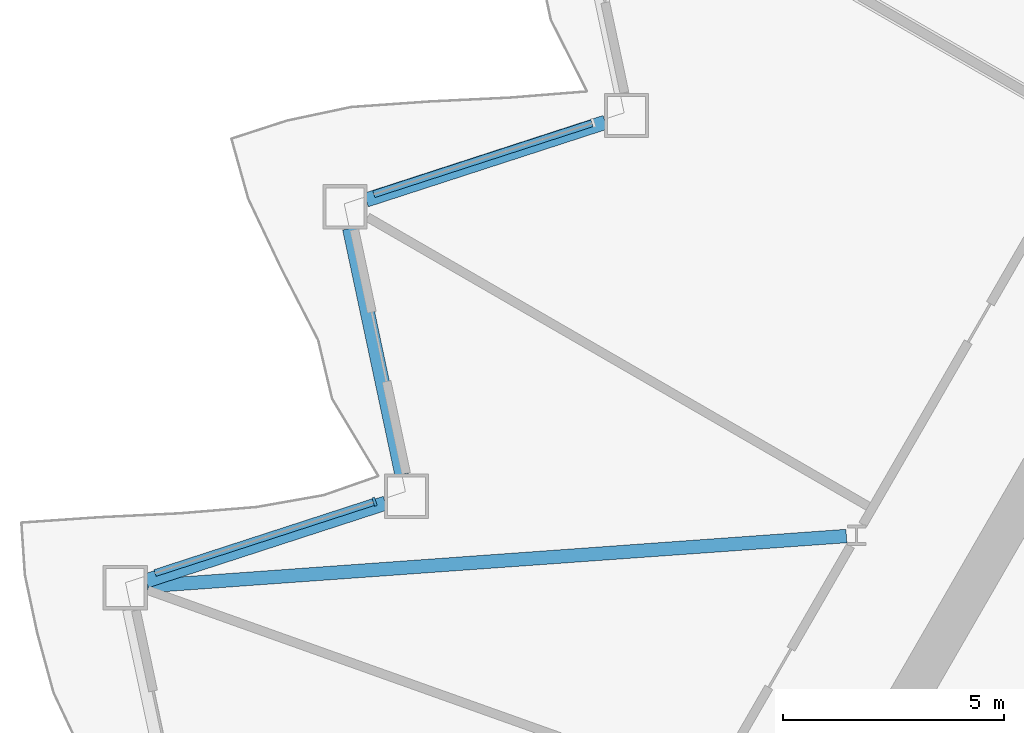
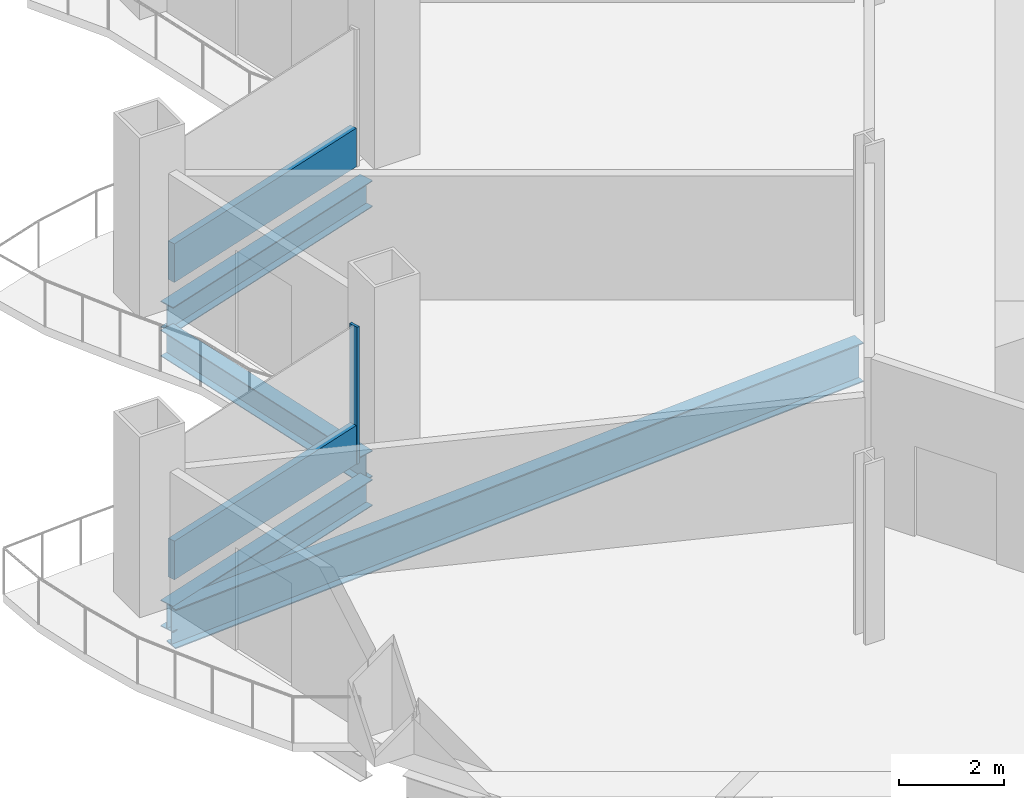
# One storey, part 3 of 21: 4 beams, 3 members, 2 elements without a shape of their own.
"""IFC4 building model written with IfcOpenShell, lengths in metres."""

from ifc_helpers import new_model, si_unit, direction, frame, origin, origin_2d, place, context, subcontext, project, spatial, rectangle, i_section, extrude, material, layer, layer_set, material_profile, profile_set, type_object, element, aggregate, save


model = new_model("IFC4")

# Units and contexts
model_context = context("Model", 3, precision=1e-05, world=origin(), true_north=direction((0.0, 1.0)))
body_context = subcontext(model_context, "Body", "Model", "MODEL_VIEW")
ifc_project = project(units=[si_unit("LENGTHUNIT", "METRE"), si_unit("AREAUNIT", "SQUARE_METRE"), si_unit("VOLUMEUNIT", "CUBIC_METRE"), si_unit("PLANEANGLEUNIT", "RADIAN"), si_unit("MASSUNIT", "GRAM", prefix="KILO")], contexts=[model_context])

# Site, building, storey
site_placement = place(None, origin())
site = spatial("IfcSite", under=ifc_project, at=site_placement, CompositionType="ELEMENT")
building_placement = place(site_placement, origin())
building = spatial("IfcBuilding", under=site, at=building_placement, Name="Cormorant Prow Tower", CompositionType="ELEMENT")
storey_placement = place(building_placement, frame((0.0, 0.0, 76.199951171875)))
storey = spatial("IfcBuildingStorey", under=building, at=storey_placement, Name="L16", CompositionType="ELEMENT", Elevation=76.199951171875)

# Curtain wall, member
ifc_material_1 = material(Name="Aluminium 6063-T6", Category="aluminium")
ifc_layer = layer(ifc_material_1, 0.199951171875)
ifc_layer_set = layer_set([ifc_layer], Name="Aluminium 6063-T6")
curtain_wall_type = type_object("IfcCurtainWallType", Name="Office unitised curtain wall 200", PredefinedType="NOTDEFINED", material=ifc_layer_set)
curtain_wall_1_placement = place(storey_placement, origin())
curtain_wall_1 = element("IfcCurtainWall", 1, at=curtain_wall_1_placement, inside=storey, type_object=curtain_wall_type, Name="Office curtain wall WNW08", PredefinedType="NOTDEFINED")
ifc_material_2 = material(Name="Aluminium 6063-T6", Category="aluminium")
ifc_material_profile_1 = material_profile(ifc_material_2, rectangle(XDim=0.199951171875, YDim=0.06005859375, at=origin_2d()), Name="Office mullion 60x200")
ifc_profile_set_1 = profile_set([ifc_material_profile_1], Name="Aluminium 6063-T6")
member_type_1 = type_object("IfcMemberType", Name="Office mullion 60x200", PredefinedType="MULLION", material=ifc_profile_set_1)
member_1_placement = place(storey_placement, frame((-26.756591796875, -2.295166015625, 0.0), z_axis=(0.0, 0.0, 1.0), x_axis=(0.309016903379, -0.951056545862, 0.0)))
member_1 = element("IfcMember", 2, at=member_1_placement, type_object=member_type_1, Name="Office mullion WNW08", PredefinedType="MULLION", context=body_context, shape_type="SweptSolid", body=[
    extrude(rectangle(XDim=0.199951171875, YDim=0.06005859375, at=origin_2d()), origin(), (0.0, 0.0, 1.0), 3.18896484375),
])

curtain_wall_2_placement = place(storey_placement, origin())
curtain_wall_2 = element("IfcCurtainWall", 3, at=curtain_wall_2_placement, inside=storey, type_object=curtain_wall_type, Name="Office curtain wall WNW06", PredefinedType="NOTDEFINED")
ifc_material_3 = material(Name="Terracotta", Category="masonry")
ifc_material_profile_2 = material_profile(ifc_material_3, rectangle(XDim=0.159912109375, YDim=0.89990234375, at=origin_2d()), Name="Office terracotta spandrel rail 160x900")
ifc_profile_set_2 = profile_set([ifc_material_profile_2], Name="Terracotta")
member_type_2 = type_object("IfcMemberType", Name="Office terracotta spandrel rail 160x900", PredefinedType="USERDEFINED", material=ifc_profile_set_2)
member_2_placement = place(storey_placement, frame((-21.8447265625, 6.252685546875, 0.449951171875), z_axis=(-0.95105864728, -0.309010435801, 0.0), x_axis=(0.309010435801, -0.95105864728, 0.0)))
member_2 = element("IfcMember", 4, at=member_2_placement, type_object=member_type_2, Name="Office spandrel rail WNW06", ObjectType="TRANSOM", PredefinedType="USERDEFINED", context=body_context, shape_type="SweptSolid", body=[
    extrude(rectangle(XDim=0.159912109375, YDim=0.89990234375, at=origin_2d()), origin(), (0.0, 0.0, 1.0), 5.18212890625),
])
aggregate(curtain_wall_2, [member_2])

# Member
member_3_placement = place(storey_placement, frame((-26.78515625, -2.304443359375, 0.449951171875), z_axis=(-0.95105864728, -0.309010435801, 0.0), x_axis=(0.309010435801, -0.95105864728, 0.0)))
member_3 = element("IfcMember", 5, at=member_3_placement, type_object=member_type_2, Name="Office spandrel rail WNW08", ObjectType="TRANSOM", PredefinedType="USERDEFINED", context=body_context, shape_type="SweptSolid", body=[
    extrude(rectangle(XDim=0.159912109375, YDim=0.89990234375, at=origin_2d()), origin(), (0.0, 0.0, 1.0), 5.18212890625),
])

aggregate(curtain_wall_1, [member_1, member_3])

# Beams
ifc_material_4 = material(Name="Structural steel ASTM A992 Gr 50", Category="steel")
ifc_material_profile_3 = material_profile(ifc_material_4, i_section(OverallWidth=0.3046875, OverallDepth=0.914794921875, WebThickness=0.0166015625, FlangeThickness=0.02587890625, at=origin_2d()), Name="W36x160")
ifc_profile_set_3 = profile_set([ifc_material_profile_3], Name="Structural steel ASTM A992 Gr 50")
beam_type_1 = type_object("IfcBeamType", Name="Radial floor beam W36x160", PredefinedType="BEAM", material=ifc_profile_set_3)
beam_1_placement = place(storey_placement, frame((-16.099365234375, -3.0703125, -0.857421875), z_axis=(-0.997443412532, -0.071460750045, 0.0), x_axis=(0.071460750045, -0.997443412532, 0.0)))
element("IfcBeam", 6, at=beam_1_placement, inside=storey, type_object=beam_type_1, Name="Radial floor beam FB1 4 L16", PredefinedType="BEAM", context=body_context, shape_type="SweptSolid", body=[
    extrude(i_section(OverallWidth=0.3046875, OverallDepth=0.914794921875, WebThickness=0.0166015625, FlangeThickness=0.02587890625, at=origin_2d()), origin(), (0.0, 0.0, 1.0), 15.831787109375),
])
ifc_material_5 = material(Name="Structural steel ASTM A992 Gr 50", Category="steel")
ifc_material_profile_4 = material_profile(ifc_material_5, i_section(OverallWidth=0.32373046875, OverallDepth=0.611083984375, WebThickness=0.0126953125, FlangeThickness=0.01904296875, at=origin_2d()), Name="W24x104")
ifc_profile_set_4 = profile_set([ifc_material_profile_4], Name="Structural steel ASTM A992 Gr 50")
beam_type_2 = type_object("IfcBeamType", Name="Spandrel beam W24x104", PredefinedType="SPANDREL", material=ifc_profile_set_4)
beam_2_placement = place(storey_placement, frame((-21.54345703125, 6.274658203125, -0.70556640625), z_axis=(-0.951061849722, -0.309000579292, 0.0), x_axis=(0.309000579292, -0.951061849722, 0.0)))
element("IfcBeam", 7, at=beam_2_placement, inside=storey, type_object=beam_type_2, Name="Spandrel beam SB1 WNW06-WNW07 L16", PredefinedType="SPANDREL", context=body_context, shape_type="SweptSolid", body=[
    extrude(i_section(OverallWidth=0.32373046875, OverallDepth=0.611083984375, WebThickness=0.0126953125, FlangeThickness=0.01904296875, at=origin_2d()), origin(), (0.0, 0.0, 1.0), 5.682373046875),
])
beam_3_placement = place(storey_placement, frame((-27.3193359375, 3.875244140625, -0.70556640625), z_axis=(0.207900376723, -0.97815000555, 0.0), x_axis=(0.97815000555, 0.207900376723, 0.0)))
element("IfcBeam", 8, at=beam_3_placement, inside=storey, type_object=beam_type_2, Name="Spandrel beam SB1 WNW07-WNW08 L16", PredefinedType="SPANDREL", context=body_context, shape_type="SweptSolid", body=[
    extrude(i_section(OverallWidth=0.32373046875, OverallDepth=0.611083984375, WebThickness=0.0126953125, FlangeThickness=0.01904296875, at=origin_2d()), origin(), (0.0, 0.0, 1.0), 5.6826171875),
])
beam_4_placement = place(storey_placement, frame((-26.509521484375, -2.32666015625, -0.70556640625), z_axis=(-0.951049222751, -0.309039440696, 0.0), x_axis=(0.309039440696, -0.951049222751, 0.0)))
element("IfcBeam", 9, at=beam_4_placement, inside=storey, type_object=beam_type_2, Name="Spandrel beam SB1 WNW08-WNW09 L16", PredefinedType="SPANDREL", context=body_context, shape_type="SweptSolid", body=[
    extrude(i_section(OverallWidth=0.32373046875, OverallDepth=0.611083984375, WebThickness=0.0126953125, FlangeThickness=0.01904296875, at=origin_2d()), origin(), (0.0, 0.0, 1.0), 5.682373046875),
])

save(model, "model.ifc")
